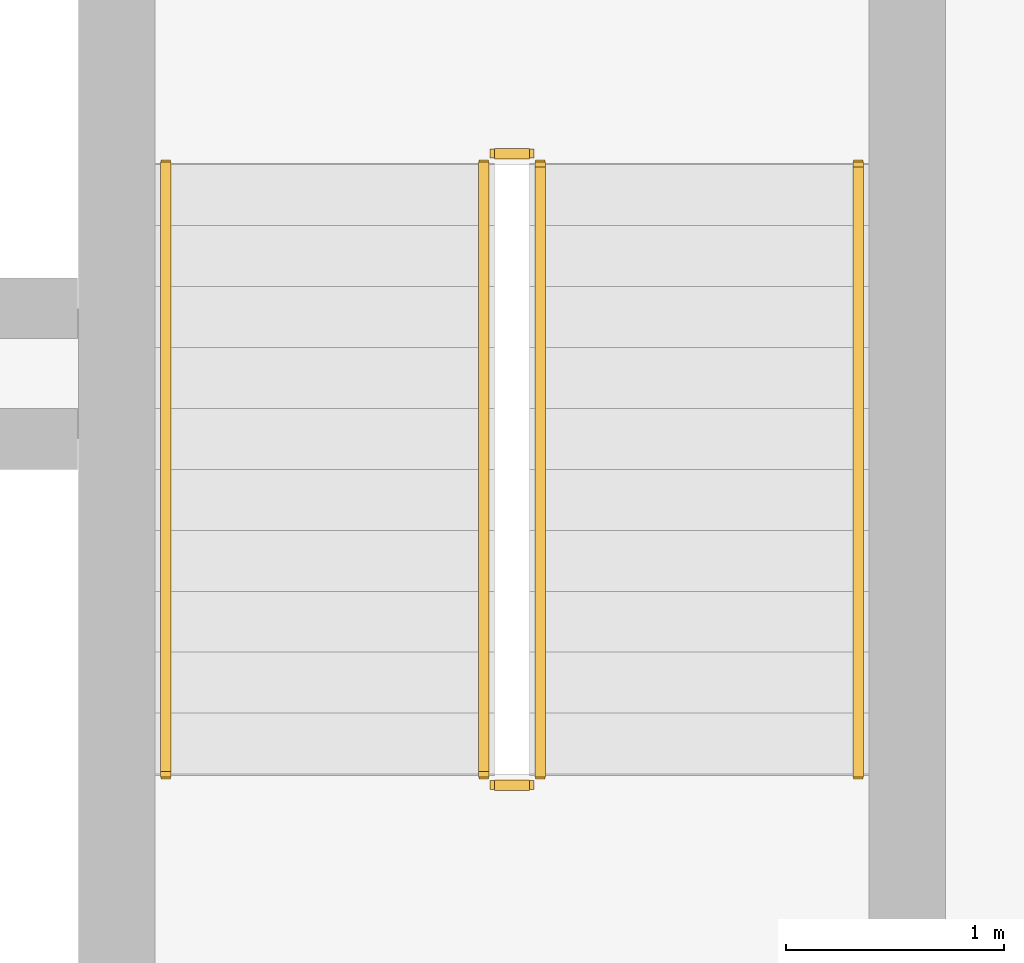
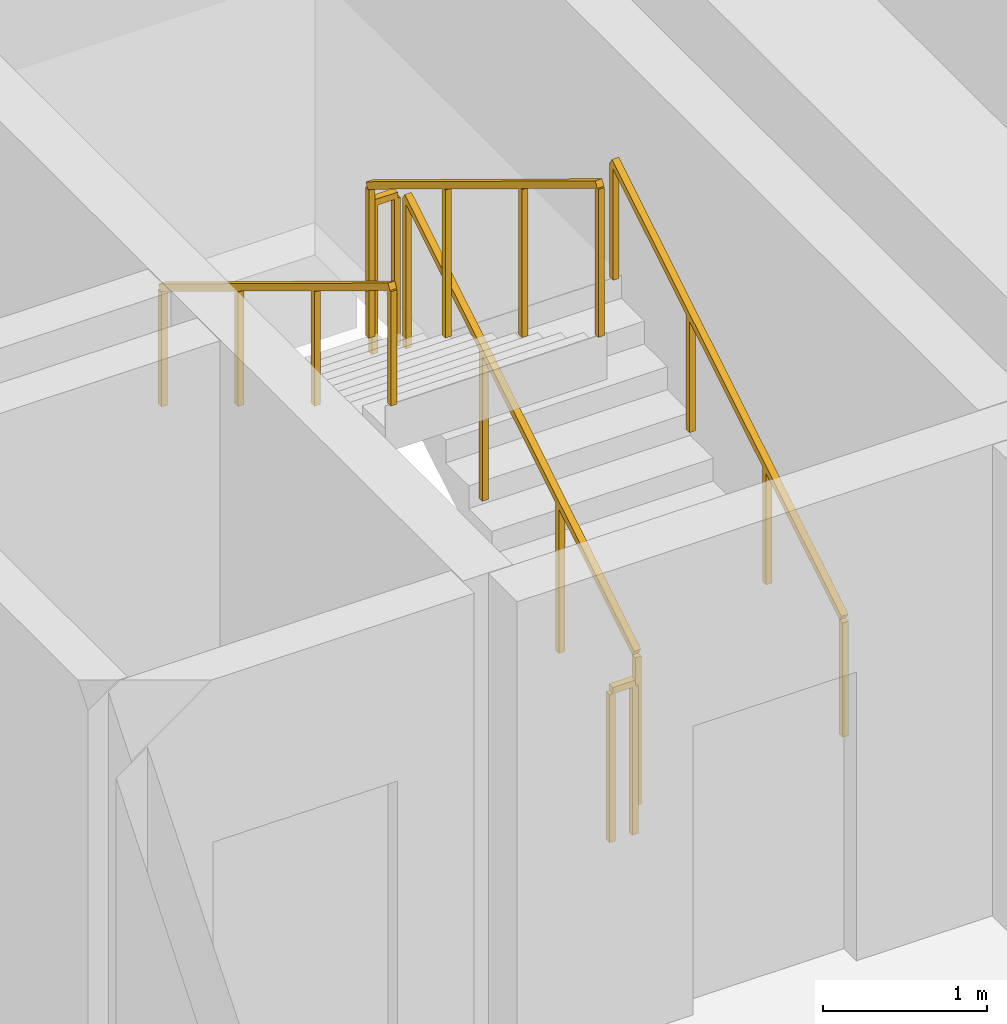
# One storey, part 14 of 14: 6 railings.
"""IFC4 building model written with IfcOpenShell, lengths in metres."""

from ifc_helpers import new_model, si_unit, direction, frame, origin, origin_2d, place, context, subcontext, project, spatial, rectangle, extrude, material, type_object, element, save


model = new_model("IFC4")

# Units and contexts
model_context = context("Model", 3, precision=1e-05, world=origin(), true_north=direction((0.0, 1.0)))
body_context = subcontext(model_context, "Body", "Model", "MODEL_VIEW")
ifc_project = project(units=[si_unit("LENGTHUNIT", "METRE"), si_unit("AREAUNIT", "SQUARE_METRE"), si_unit("VOLUMEUNIT", "CUBIC_METRE"), si_unit("PLANEANGLEUNIT", "RADIAN"), si_unit("MASSUNIT", "GRAM", prefix="KILO")], contexts=[model_context])

# Site, building, storey
site_placement = place(None, origin())
site = spatial("IfcSite", under=ifc_project, at=site_placement, CompositionType="ELEMENT")
building_placement = place(site_placement, origin())
building = spatial("IfcBuilding", under=site, at=building_placement, Name="Kaelvorn Grand Hotel", CompositionType="ELEMENT")
storey_placement = place(building_placement, frame((0.0, 0.0, 85.550048828125)))
storey = spatial("IfcBuildingStorey", under=building, at=storey_placement, Name="L19", CompositionType="ELEMENT", Elevation=85.550048828125)

# Railings
ifc_material = material(Name="Stainless Steel", Category="steel")
railing_type_1 = type_object("IfcRailingType", Name="RL-HANDRAIL-900", PredefinedType="HANDRAIL", material=ifc_material)
railing_1_placement = place(storey_placement, frame((66.550048828125, 41.760009765625, 0.17041015625)))
element("IfcRailing", 1, at=railing_1_placement, inside=storey, type_object=railing_type_1, Name="L19 ST3 stair handrail 1", PredefinedType="HANDRAIL", context=body_context, shape_type="SweptSolid", body=[
    extrude(rectangle(XDim=0.048095703125, YDim=0.048095703125, at=origin_2d()), frame((0.0, 0.0, 0.8759765625), z_axis=(0.0, 0.854169791009, 0.51999420009), x_axis=(-1.0, 0.0, 0.0)), (0.0, 0.0, 1.0), 3.278076171875),
    extrude(rectangle(XDim=0.0419921875, YDim=0.0419921875, at=origin_2d()), origin(), (0.0, 0.0, 1.0), 0.851806640625),
    extrude(rectangle(XDim=0.0419921875, YDim=0.0419921875, at=origin_2d()), frame((0.0, 0.933349609375, 0.568115234375)), (0.0, 0.0, 1.0), 0.851806640625),
    extrude(rectangle(XDim=0.0419921875, YDim=0.0419921875, at=origin_2d()), frame((0.0, 1.86669921875, 1.136474609375)), (0.0, 0.0, 1.0), 0.851806640625),
    extrude(rectangle(XDim=0.0419921875, YDim=0.0419921875, at=origin_2d()), frame((0.0, 2.800048828125, 1.70458984375)), (0.0, 0.0, 1.0), 0.851806640625),
])
railing_2_placement = place(storey_placement, frame((63.3701171875, 44.56005859375, 2.04541015625)))
element("IfcRailing", 2, at=railing_2_placement, inside=storey, type_object=railing_type_1, Name="L19 ST3 stair handrail 2", PredefinedType="HANDRAIL", context=body_context, shape_type="SweptSolid", body=[
    extrude(rectangle(XDim=0.048095703125, YDim=0.048095703125, at=origin_2d()), frame((0.0, 0.0, 0.8759765625), z_axis=(0.0, -0.854169791009, 0.51999420009), x_axis=(1.0, 0.0, 0.0)), (0.0, 0.0, 1.0), 3.278076171875),
    extrude(rectangle(XDim=0.0419921875, YDim=0.0419921875, at=origin_2d()), origin(), (0.0, 0.0, 1.0), 0.851806640625),
    extrude(rectangle(XDim=0.0419921875, YDim=0.0419921875, at=origin_2d()), frame((0.0, -0.933349609375, 0.568115234375)), (0.0, 0.0, 1.0), 0.851806640625),
    extrude(rectangle(XDim=0.0419921875, YDim=0.0419921875, at=origin_2d()), frame((0.0, -1.86669921875, 1.136474609375)), (0.0, 0.0, 1.0), 0.851806640625),
    extrude(rectangle(XDim=0.0419921875, YDim=0.0419921875, at=origin_2d()), frame((0.0, -2.800048828125, 1.70458984375)), (0.0, 0.0, 1.0), 0.851806640625),
])
railing_type_2 = type_object("IfcRailingType", Name="RL-STAIR-GUARD-1150", PredefinedType="BALUSTRADE", material=ifc_material)
railing_3_placement = place(storey_placement, frame((65.090087890625, 41.760009765625, 0.17041015625)))
element("IfcRailing", 3, at=railing_3_placement, inside=storey, type_object=railing_type_2, Name="L19 ST3 stair guard 1", PredefinedType="BALUSTRADE", context=body_context, shape_type="SweptSolid", body=[
    extrude(rectangle(XDim=0.048095703125, YDim=0.048095703125, at=origin_2d()), frame((0.0, 0.0, 1.1259765625), z_axis=(0.0, 0.854169791009, 0.51999420009), x_axis=(-1.0, 0.0, 0.0)), (0.0, 0.0, 1.0), 3.278076171875),
    extrude(rectangle(XDim=0.0419921875, YDim=0.0419921875, at=origin_2d()), origin(), (0.0, 0.0, 1.0), 1.101806640625),
    extrude(rectangle(XDim=0.0419921875, YDim=0.0419921875, at=origin_2d()), frame((0.0, 0.933349609375, 0.568115234375)), (0.0, 0.0, 1.0), 1.101806640625),
    extrude(rectangle(XDim=0.0419921875, YDim=0.0419921875, at=origin_2d()), frame((0.0, 1.86669921875, 1.136474609375)), (0.0, 0.0, 1.0), 1.101806640625),
    extrude(rectangle(XDim=0.0419921875, YDim=0.0419921875, at=origin_2d()), frame((0.0, 2.800048828125, 1.70458984375)), (0.0, 0.0, 1.0), 1.101806640625),
])
railing_4_placement = place(storey_placement, frame((65.0400390625, 44.610107421875, 1.875)))
element("IfcRailing", 4, at=railing_4_placement, inside=storey, type_object=railing_type_2, Name="L19 ST3 stair guard 2", PredefinedType="BALUSTRADE", context=body_context, shape_type="SweptSolid", body=[
    extrude(rectangle(XDim=0.048095703125, YDim=0.048095703125, at=origin_2d()), frame((0.0, 0.0, 1.1259765625), z_axis=(-1.0, 0.0, 0.0), x_axis=(0.0, -1.0, 0.0)), (0.0, 0.0, 1.0), 0.16015625),
    extrude(rectangle(XDim=0.0419921875, YDim=0.0419921875, at=origin_2d()), origin(), (0.0, 0.0, 1.0), 1.101806640625),
    extrude(rectangle(XDim=0.0419921875, YDim=0.0419921875, at=origin_2d()), frame((-0.16015625, 0.0, 0.0)), (0.0, 0.0, 1.0), 1.101806640625),
])
railing_5_placement = place(storey_placement, frame((64.830078125, 44.56005859375, 2.04541015625)))
element("IfcRailing", 5, at=railing_5_placement, inside=storey, type_object=railing_type_2, Name="L19 ST3 stair guard 3", PredefinedType="BALUSTRADE", context=body_context, shape_type="SweptSolid", body=[
    extrude(rectangle(XDim=0.048095703125, YDim=0.048095703125, at=origin_2d()), frame((0.0, 0.0, 1.1259765625), z_axis=(0.0, -0.854169791009, 0.51999420009), x_axis=(1.0, 0.0, 0.0)), (0.0, 0.0, 1.0), 3.278076171875),
    extrude(rectangle(XDim=0.0419921875, YDim=0.0419921875, at=origin_2d()), origin(), (0.0, 0.0, 1.0), 1.101806640625),
    extrude(rectangle(XDim=0.0419921875, YDim=0.0419921875, at=origin_2d()), frame((0.0, -0.933349609375, 0.568115234375)), (0.0, 0.0, 1.0), 1.101806640625),
    extrude(rectangle(XDim=0.0419921875, YDim=0.0419921875, at=origin_2d()), frame((0.0, -1.86669921875, 1.136474609375)), (0.0, 0.0, 1.0), 1.101806640625),
    extrude(rectangle(XDim=0.0419921875, YDim=0.0419921875, at=origin_2d()), frame((0.0, -2.800048828125, 1.70458984375)), (0.0, 0.0, 1.0), 1.101806640625),
])
railing_6_placement = place(storey_placement, frame((65.0400390625, 41.7099609375, 0.0)))
element("IfcRailing", 6, at=railing_6_placement, inside=storey, type_object=railing_type_2, Name="L19 ST3 stair guard 4", PredefinedType="BALUSTRADE", context=body_context, shape_type="SweptSolid", body=[
    extrude(rectangle(XDim=0.048095703125, YDim=0.048095703125, at=origin_2d()), frame((0.0, 0.0, 1.1259765625), z_axis=(-1.0, 0.0, 0.0), x_axis=(0.0, -1.0, 0.0)), (0.0, 0.0, 1.0), 0.16015625),
    extrude(rectangle(XDim=0.0419921875, YDim=0.0419921875, at=origin_2d()), origin(), (0.0, 0.0, 1.0), 1.101806640625),
    extrude(rectangle(XDim=0.0419921875, YDim=0.0419921875, at=origin_2d()), frame((-0.16015625, 0.0, 0.0)), (0.0, 0.0, 1.0), 1.101806640625),
])

save(model, "model.ifc")
